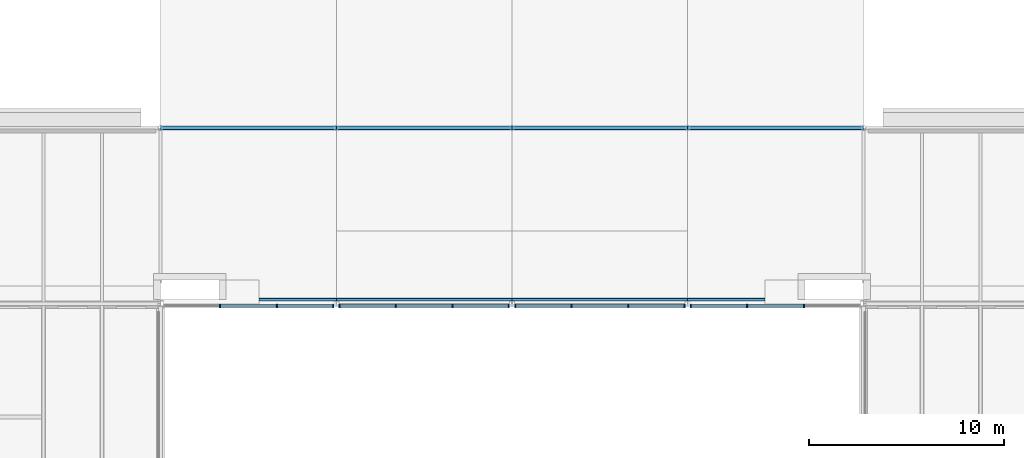
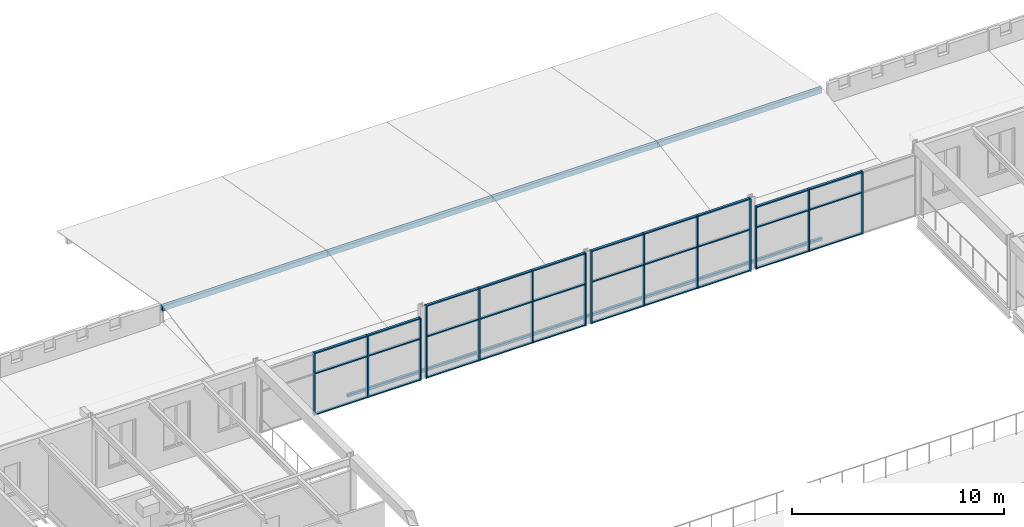
# One storey, part 44 of 123: 44 members, 8 beams, 4 elements without a shape of their own.
"""IFC4 building model written with IfcOpenShell, lengths in metres."""

import ifcopenshell
import ifcopenshell.guid

model = None  # the IFC model being written
_history = None  # IfcOwnerHistory: only IFC2X3 demands one
_inside = {}  # id of a spatial element -> (the spatial element, [elements in it])
_under = {}  # id of a project, library or spatial element -> (it, [spatial elements below it])
_declared = {}  # id of a project -> (the project, [libraries it declares])
_typed = {}  # id of a type object -> (the type object, [elements of that type])
_made_of = {}  # id of a material, layer set ... -> (it, [elements and type objects made of it])


def new_model(schema):
    """Start an empty IFC model of exactly this schema.

    Asked for "IFC4X3", IfcOpenShell would pick the latest addendum, in which some entities
    have other attributes; the version numbers below select the first issue.
    IFC2X3 requires an IfcOwnerHistory on every rooted entity: one is made here for all.
    """
    global model, _history
    if schema == "IFC4X3":
        model = ifcopenshell.file(schema_version=(4, 3, 0, 0))
    else:
        model = ifcopenshell.file(schema=schema)
    _inside.clear()
    _under.clear()
    _declared.clear()
    _typed.clear()
    _made_of.clear()
    _history = None
    if model.schema == "IFC2X3":
        org = make("IfcOrganization", Name="unknown")
        user = make(
            "IfcPersonAndOrganization",
            ThePerson=make("IfcPerson", FamilyName="unknown"),
            TheOrganization=org,
        )
        app = make(
            "IfcApplication",
            ApplicationDeveloper=org,
            Version="unknown",
            ApplicationFullName="unknown",
            ApplicationIdentifier="unknown",
        )
        _history = make(
            "IfcOwnerHistory",
            OwningUser=user,
            OwningApplication=app,
            ChangeAction="ADDED",
            CreationDate=0,
        )
    return model


def make(cls, **values):
    """One entity of the class cls with the attributes given. An attribute that is None is left unset."""
    return model.create_entity(
        cls, **{name: value for name, value in values.items() if value is not None}
    )


def rooted(cls, **values):
    """An entity with a GlobalId (a new one), such as an element, a storey or a relation."""
    return make(cls, GlobalId=ifcopenshell.guid.new(), OwnerHistory=_history, **values)


def si_unit(unit_type, name, prefix=None):
    """IfcSIUnit, for example si_unit("LENGTHUNIT", "METRE", prefix="MILLI")."""
    return make("IfcSIUnit", UnitType=unit_type, Prefix=prefix, Name=name)


def assignment(units):
    """IfcUnitAssignment: the units of a project."""
    return None if units is None else make("IfcUnitAssignment", Units=units)


def point(xyz):
    """IfcCartesianPoint."""
    return None if xyz is None else make("IfcCartesianPoint", Coordinates=xyz)


def direction(xyz):
    """IfcDirection."""
    return None if xyz is None else make("IfcDirection", DirectionRatios=xyz)


def frame(location, z_axis=None, x_axis=None):
    """IfcAxis2Placement3D, a coordinate frame: its origin and axes. An axis left out is left unset."""
    return make(
        "IfcAxis2Placement3D",
        Location=point(location),
        Axis=direction(z_axis),
        RefDirection=direction(x_axis),
    )


def frame_2d(location, x_axis=None):
    """IfcAxis2Placement2D, a coordinate frame in the plane: its origin and x axis."""
    return make(
        "IfcAxis2Placement2D", Location=point(location), RefDirection=direction(x_axis)
    )


def origin():
    """The frame at (0, 0, 0) with its axes left unset."""
    return frame((0.0, 0.0, 0.0))


def origin_2d():
    """The frame at (0, 0) in the plane with its x axis left unset."""
    return frame_2d((0.0, 0.0))


def place(relative_to, where):
    """IfcLocalPlacement: puts the frame where relative to a parent placement (None: the world)."""
    return make(
        "IfcLocalPlacement", PlacementRelTo=relative_to, RelativePlacement=where
    )


def context(
    kind, dimensions, precision=None, world=None, true_north=None, identifier=None
):
    """IfcGeometricRepresentationContext, for example the 3D "Model" context."""
    return make(
        "IfcGeometricRepresentationContext",
        ContextIdentifier=identifier,
        ContextType=kind,
        CoordinateSpaceDimension=dimensions,
        Precision=precision,
        WorldCoordinateSystem=world,
        TrueNorth=true_north,
    )


def subcontext(parent, identifier, kind, view, scale=None):
    """IfcGeometricRepresentationSubContext, for example "Body" below "Model"."""
    return make(
        "IfcGeometricRepresentationSubContext",
        ContextIdentifier=identifier,
        ContextType=kind,
        ParentContext=parent,
        TargetScale=scale,
        TargetView=view,
    )


def project(units=None, contexts=None):
    """IfcProject with its units and contexts."""
    return rooted(
        "IfcProject",
        Name="project",
        RepresentationContexts=contexts,
        UnitsInContext=assignment(units),
    )


def spatial(cls, under=None, at=None, **own):
    """A site, building, storey or space (cls), placed at a placement, below another one or the project."""
    s = rooted(cls, ObjectPlacement=at, **own)
    if under is not None:
        _under.setdefault(under.id(), (under, []))[1].append(s)
    return s


def profile(cls, at=None, kind="AREA", **sizes):
    """A parametric profile (cls). Its sizes go by their IFC names, for example OverallWidth=200.0."""
    return make(cls, ProfileType=kind, Position=at, **sizes)


def rectangle(**sizes):
    """IfcRectangleProfileDef."""
    return profile("IfcRectangleProfileDef", **sizes)


def hollow_rectangle(**sizes):
    """IfcRectangleHollowProfileDef."""
    return profile("IfcRectangleHollowProfileDef", **sizes)


def extrude(swept, where, along, depth):
    """IfcExtrudedAreaSolid: the profile swept, set in the frame where, extruded along a direction by depth."""
    return make(
        "IfcExtrudedAreaSolid",
        SweptArea=swept,
        Position=where,
        ExtrudedDirection=direction(along),
        Depth=depth,
    )


def shape(context_of_items, identifier, shape_type, items):
    """IfcShapeRepresentation: the items that make up one representation, for example the "Body"."""
    return make(
        "IfcShapeRepresentation",
        ContextOfItems=context_of_items,
        RepresentationIdentifier=identifier,
        RepresentationType=shape_type,
        Items=items,
    )


def material(Name=None, Category=None):
    """IfcMaterial."""
    return make("IfcMaterial", Name=Name, Category=Category)


def material_profile(
    of_material, cross_section, Name=None, Category=None, Priority=None
):
    """IfcMaterialProfile: a cross section and its material."""
    return make(
        "IfcMaterialProfile",
        Name=Name,
        Material=of_material,
        Profile=cross_section,
        Priority=Priority,
        Category=Category,
    )


def profile_set(profiles, Name=None, composite=None):
    """IfcMaterialProfileSet."""
    return make(
        "IfcMaterialProfileSet",
        Name=Name,
        MaterialProfiles=profiles,
        CompositeProfile=composite,
    )


def made_of(thing, what):
    """Note that an element or type object is made of a material, layer set ...; save() writes the relation."""
    if what is not None:
        _made_of.setdefault(what.id(), (what, []))[1].append(thing)
    return thing


def type_object(cls, material=None, **own):
    """A type object (cls), such as IfcWallType, which elements share."""
    return made_of(rooted(cls, **own), material)


def element(
    cls,
    number,
    at=None,
    inside=None,
    cuts=None,
    type_object=None,
    material=None,
    context=None,
    identifier="Body",
    shape_type=None,
    held_by="IfcProductDefinitionShape",
    body=None,
    shapes=None,
    **own,
):
    """One element of the class cls, such as IfcWall. Its Tag is "e" and its number.

    at: its placement. inside: the storey or other place that contains it. cuts: it is an
    opening in that element (IfcRelVoidsElement). A single representation is given by context,
    identifier, shape_type and body (its items); several are given by shapes. held_by: the class
    of the entity that holds the representations. save() writes the other relations.
    """
    e = rooted(cls, Tag="e%d" % number, ObjectPlacement=at, **own)
    if body is not None:
        shapes = [shape(context, identifier, shape_type, body)]
    if shapes is not None:
        e.Representation = make(held_by, Representations=shapes)
    if inside is not None:
        _inside.setdefault(inside.id(), (inside, []))[1].append(e)
    if cuts is not None:
        rooted(
            "IfcRelVoidsElement", RelatingBuildingElement=cuts, RelatedOpeningElement=e
        )
    if type_object is not None:
        _typed.setdefault(type_object.id(), (type_object, []))[1].append(e)
    return made_of(e, material)


def aggregate(whole, parts):
    """IfcRelAggregates: a whole, such as a stair, and the parts it consists of."""
    return rooted("IfcRelAggregates", RelatingObject=whole, RelatedObjects=parts)


def save(model, path):
    """Write the relations noted so far, then the file.

    IfcRelAggregates (storeys below a building ...), IfcRelContainedInSpatialStructure (elements
    in a storey), IfcRelDefinesByType, IfcRelAssociatesMaterial and IfcRelDeclares: one each for
    every whole, place, type object, material and project.
    """
    for whole, parts in _under.values():
        aggregate(whole, parts)
    for where, things in _inside.values():
        rooted(
            "IfcRelContainedInSpatialStructure",
            RelatedElements=things,
            RelatingStructure=where,
        )
    for kind, things in _typed.values():
        rooted("IfcRelDefinesByType", RelatedObjects=things, RelatingType=kind)
    for what, things in _made_of.values():
        rooted("IfcRelAssociatesMaterial", RelatedObjects=things, RelatingMaterial=what)
    for by, libraries in _declared.values():
        rooted("IfcRelDeclares", RelatingContext=by, RelatedDefinitions=libraries)
    model.write(path)


model = new_model("IFC4")

# Units and contexts
model_context = context("Model", 3, precision=1e-05, world=origin(), true_north=direction((0.0, 1.0)))
body_context = subcontext(model_context, "Body", "Model", "MODEL_VIEW")
ifc_project = project(units=[si_unit("LENGTHUNIT", "METRE"), si_unit("AREAUNIT", "SQUARE_METRE"), si_unit("VOLUMEUNIT", "CUBIC_METRE"), si_unit("PLANEANGLEUNIT", "RADIAN"), si_unit("MASSUNIT", "GRAM", prefix="KILO")], contexts=[model_context])

# Site, building, storey
site_placement = place(None, origin())
site = spatial("IfcSite", under=ifc_project, at=site_placement, CompositionType="ELEMENT")
building_placement = place(site_placement, origin())
building = spatial("IfcBuilding", under=site, at=building_placement, Name="Baradari Gate Terminus", CompositionType="ELEMENT")
storey_placement = place(building_placement, frame((0.0, 0.0, 7.5)))
storey = spatial("IfcBuildingStorey", under=building, at=storey_placement, Name="L01", CompositionType="ELEMENT", Elevation=7.5)

# Beams
ifc_material_1 = material(Name="Steel S355", Category="steel")
ifc_material_profile_1 = material_profile(ifc_material_1, hollow_rectangle(XDim=0.199951171875, YDim=0.300048828125, WallThickness=0.010009765625, InnerFilletRadius=0.010009765625, OuterFilletRadius=0.02001953125, at=origin_2d()), Name="RHS 300x200x10")
ifc_profile_set_1 = profile_set([ifc_material_profile_1], Name="Steel S355")
beam_type_1 = type_object("IfcBeamType", Name="Canopy beam RHS 300x200x10", PredefinedType="BEAM", material=ifc_profile_set_1)
for number, where, z_axis, x_axis, name in (
    (1, (135.0, 117.0, 1.70947265625), (1.0, 0.0, 0.0), (0.0, 1.0, 0.0), "BM/L01/CR1"),
    (2, (144.0, 117.0, 1.70947265625), (1.0, 0.0, 0.0), (0.0, 1.0, 0.0), "BM/L01/CR2"),
    (3, (153.0, 117.0, 1.70947265625), (1.0, 0.0, 0.0), (0.0, 1.0, 0.0), "BM/L01/CR3"),
    (4, (162.0, 117.0, 1.70947265625), (1.0, 0.0, 0.0), (0.0, 1.0, 0.0), "BM/L01/CR4"),
):
    element("IfcBeam", number, at=place(storey_placement, frame(where, z_axis=z_axis, x_axis=x_axis)), inside=storey, type_object=beam_type_1, Name=name, PredefinedType="BEAM", context=body_context, shape_type="SweptSolid", body=[
        extrude(hollow_rectangle(XDim=0.199951171875, YDim=0.300048828125, WallThickness=0.010009765625, InnerFilletRadius=0.010009765625, OuterFilletRadius=0.02001953125, at=origin_2d()), origin(), (0.0, 0.0, 1.0), 9.0),
    ])
ifc_material_2 = material(Name="Steel S355", Category="steel")
ifc_material_profile_2 = material_profile(ifc_material_2, hollow_rectangle(XDim=0.14990234375, YDim=0.14990234375, WallThickness=0.00634765625, InnerFilletRadius=0.00634765625, OuterFilletRadius=0.0126953125, at=origin_2d()), Name="SHS 150x150x6.3")
ifc_profile_set_2 = profile_set([ifc_material_profile_2], Name="Steel S355")
beam_type_2 = type_object("IfcBeamType", Name="Canopy tie SHS 150x150x6.3", PredefinedType="BEAM", material=ifc_profile_set_2)
beam_1_placement = place(storey_placement, frame((140.050048828125, 108.205078125, 0.220703125), z_axis=(1.0, 0.0, 0.0), x_axis=(0.0, 1.0, 0.0)))
element("IfcBeam", 5, at=beam_1_placement, inside=storey, type_object=beam_type_2, Name="BM/L01/CT1", PredefinedType="BEAM", context=body_context, shape_type="SweptSolid", body=[
    extrude(hollow_rectangle(XDim=0.14990234375, YDim=0.14990234375, WallThickness=0.00634765625, InnerFilletRadius=0.00634765625, OuterFilletRadius=0.0126953125, at=origin_2d()), origin(), (0.0, 0.0, 1.0), 3.949951171875),
])
for number, where, z_axis, x_axis, name in (
    (6, (144.0, 108.205078125, 0.220703125), (1.0, 0.0, 0.0), (0.0, 1.0, 0.0), "BM/L01/CT2"),
    (7, (153.0, 108.205078125, 0.220703125), (1.0, 0.0, 0.0), (0.0, 1.0, 0.0), "BM/L01/CT3"),
):
    element("IfcBeam", number, at=place(storey_placement, frame(where, z_axis=z_axis, x_axis=x_axis)), inside=storey, type_object=beam_type_2, Name=name, PredefinedType="BEAM", context=body_context, shape_type="SweptSolid", body=[
        extrude(hollow_rectangle(XDim=0.14990234375, YDim=0.14990234375, WallThickness=0.00634765625, InnerFilletRadius=0.00634765625, OuterFilletRadius=0.0126953125, at=origin_2d()), origin(), (0.0, 0.0, 1.0), 9.0),
    ])
beam_2_placement = place(storey_placement, frame((162.0, 108.205078125, 0.220703125), z_axis=(1.0, 0.0, 0.0), x_axis=(0.0, 1.0, 0.0)))
element("IfcBeam", 8, at=beam_2_placement, inside=storey, type_object=beam_type_2, Name="BM/L01/CT4", PredefinedType="BEAM", context=body_context, shape_type="SweptSolid", body=[
    extrude(hollow_rectangle(XDim=0.14990234375, YDim=0.14990234375, WallThickness=0.00634765625, InnerFilletRadius=0.00634765625, OuterFilletRadius=0.0126953125, at=origin_2d()), origin(), (0.0, 0.0, 1.0), 3.949951171875),
])

# Curtain wall, members
ifc_material_3 = material(Name="Aluminium 6063-T6", Category="aluminium")
curtain_wall_type_1 = type_object("IfcCurtainWallType", Name="Curtain wall CW-13 ticket hall clerestory, other height", PredefinedType="NOTDEFINED", material=ifc_material_3)
curtain_wall_1_placement = place(storey_placement, origin())
curtain_wall_1 = element("IfcCurtainWall", 9, at=curtain_wall_1_placement, inside=storey, type_object=curtain_wall_type_1, Name="Glazed curtain wall CW-13 HN bay 17 L01", PredefinedType="NOTDEFINED")
ifc_material_4 = material(Name="Aluminium 6063-T6", Category="aluminium")
ifc_material_profile_3 = material_profile(ifc_material_4, rectangle(XDim=0.175048828125, YDim=0.06494140625, at=origin_2d()), Name="CM-13 65X175")
ifc_profile_set_3 = profile_set([ifc_material_profile_3], Name="Aluminium 6063-T6")
member_type_1 = type_object("IfcMemberType", Name="Curtain wall mullion CM-13 65x175", PredefinedType="MULLION", material=ifc_profile_set_3)
member_1_placement = place(storey_placement, frame((144.16064453125, 107.87841796875, 0.0), z_axis=(0.0, 0.0, 1.0), x_axis=(0.0, 1.0, 0.0)))
member_1 = element("IfcMember", 10, at=member_1_placement, type_object=member_type_1, Name="CW-13 mullion 1", PredefinedType="MULLION", context=body_context, shape_type="SweptSolid", body=[
    extrude(rectangle(XDim=0.175048828125, YDim=0.06494140625, at=origin_2d()), origin(), (0.0, 0.0, 1.0), 4.199951171875),
])
member_2_placement = place(storey_placement, frame((147.042724609375, 107.87841796875, 0.0), z_axis=(0.0, 0.0, 1.0), x_axis=(0.0, 1.0, 0.0)))
member_2 = element("IfcMember", 11, at=member_2_placement, type_object=member_type_1, Name="CW-13 mullion 2", PredefinedType="MULLION", context=body_context, shape_type="SweptSolid", body=[
    extrude(rectangle(XDim=0.175048828125, YDim=0.06494140625, at=origin_2d()), origin(), (0.0, 0.0, 1.0), 4.199951171875),
])
member_3_placement = place(storey_placement, frame((149.957275390625, 107.87841796875, 0.0), z_axis=(0.0, 0.0, 1.0), x_axis=(0.0, 1.0, 0.0)))
member_3 = element("IfcMember", 12, at=member_3_placement, type_object=member_type_1, Name="CW-13 mullion 3", PredefinedType="MULLION", context=body_context, shape_type="SweptSolid", body=[
    extrude(rectangle(XDim=0.175048828125, YDim=0.06494140625, at=origin_2d()), origin(), (0.0, 0.0, 1.0), 4.199951171875),
])
member_4_placement = place(storey_placement, frame((152.83935546875, 107.87841796875, 0.0), z_axis=(0.0, 0.0, 1.0), x_axis=(0.0, 1.0, 0.0)))
member_4 = element("IfcMember", 13, at=member_4_placement, type_object=member_type_1, Name="CW-13 mullion 4", PredefinedType="MULLION", context=body_context, shape_type="SweptSolid", body=[
    extrude(rectangle(XDim=0.175048828125, YDim=0.06494140625, at=origin_2d()), origin(), (0.0, 0.0, 1.0), 4.199951171875),
])

curtain_wall_2_placement = place(storey_placement, origin())
curtain_wall_2 = element("IfcCurtainWall", 14, at=curtain_wall_2_placement, inside=storey, type_object=curtain_wall_type_1, Name="Glazed curtain wall CW-13 HN bay 18 L01", PredefinedType="NOTDEFINED")
member_5_placement = place(storey_placement, frame((153.16064453125, 107.87841796875, 0.0), z_axis=(0.0, 0.0, 1.0), x_axis=(0.0, 1.0, 0.0)))
member_5 = element("IfcMember", 15, at=member_5_placement, type_object=member_type_1, Name="CW-13 mullion 1", PredefinedType="MULLION", context=body_context, shape_type="SweptSolid", body=[
    extrude(rectangle(XDim=0.175048828125, YDim=0.06494140625, at=origin_2d()), origin(), (0.0, 0.0, 1.0), 4.199951171875),
])
member_6_placement = place(storey_placement, frame((156.042724609375, 107.87841796875, 0.0), z_axis=(0.0, 0.0, 1.0), x_axis=(0.0, 1.0, 0.0)))
member_6 = element("IfcMember", 16, at=member_6_placement, type_object=member_type_1, Name="CW-13 mullion 2", PredefinedType="MULLION", context=body_context, shape_type="SweptSolid", body=[
    extrude(rectangle(XDim=0.175048828125, YDim=0.06494140625, at=origin_2d()), origin(), (0.0, 0.0, 1.0), 4.199951171875),
])
member_7_placement = place(storey_placement, frame((158.957275390625, 107.87841796875, 0.0), z_axis=(0.0, 0.0, 1.0), x_axis=(0.0, 1.0, 0.0)))
member_7 = element("IfcMember", 17, at=member_7_placement, type_object=member_type_1, Name="CW-13 mullion 3", PredefinedType="MULLION", context=body_context, shape_type="SweptSolid", body=[
    extrude(rectangle(XDim=0.175048828125, YDim=0.06494140625, at=origin_2d()), origin(), (0.0, 0.0, 1.0), 4.199951171875),
])
member_8_placement = place(storey_placement, frame((161.83935546875, 107.87841796875, 0.0), z_axis=(0.0, 0.0, 1.0), x_axis=(0.0, 1.0, 0.0)))
member_8 = element("IfcMember", 18, at=member_8_placement, type_object=member_type_1, Name="CW-13 mullion 4", PredefinedType="MULLION", context=body_context, shape_type="SweptSolid", body=[
    extrude(rectangle(XDim=0.175048828125, YDim=0.06494140625, at=origin_2d()), origin(), (0.0, 0.0, 1.0), 4.199951171875),
])

ifc_material_5 = material(Name="Aluminium 6063-T6", Category="aluminium")
curtain_wall_type_2 = type_object("IfcCurtainWallType", Name="Curtain wall CW-4 ticket hall clerestory", PredefinedType="NOTDEFINED", material=ifc_material_5)
curtain_wall_3_placement = place(storey_placement, origin())
curtain_wall_3 = element("IfcCurtainWall", 19, at=curtain_wall_3_placement, inside=storey, type_object=curtain_wall_type_2, Name="Glazed curtain wall CW-4 HN bay 16 L01", PredefinedType="NOTDEFINED")
ifc_material_6 = material(Name="Aluminium 6063-T6", Category="aluminium")
ifc_material_profile_4 = material_profile(ifc_material_6, rectangle(XDim=0.175048828125, YDim=0.06494140625, at=origin_2d()), Name="CM-4 65X175")
ifc_profile_set_4 = profile_set([ifc_material_profile_4], Name="Aluminium 6063-T6")
member_type_2 = type_object("IfcMemberType", Name="Curtain wall mullion CM-4 65x175", PredefinedType="MULLION", material=ifc_profile_set_4)
member_9_placement = place(storey_placement, frame((138.042724609375, 107.87841796875, 0.0), z_axis=(0.0, 0.0, 1.0), x_axis=(0.0, 1.0, 0.0)))
member_9 = element("IfcMember", 20, at=member_9_placement, type_object=member_type_2, Name="CW-4 mullion 2", PredefinedType="MULLION", context=body_context, shape_type="SweptSolid", body=[
    extrude(rectangle(XDim=0.175048828125, YDim=0.06494140625, at=origin_2d()), origin(), (0.0, 0.0, 1.0), 3.60009765625),
])
member_10_placement = place(storey_placement, frame((140.957275390625, 107.87841796875, 0.0), z_axis=(0.0, 0.0, 1.0), x_axis=(0.0, 1.0, 0.0)))
member_10 = element("IfcMember", 21, at=member_10_placement, type_object=member_type_2, Name="CW-4 mullion 3", PredefinedType="MULLION", context=body_context, shape_type="SweptSolid", body=[
    extrude(rectangle(XDim=0.175048828125, YDim=0.06494140625, at=origin_2d()), origin(), (0.0, 0.0, 1.0), 3.60009765625),
])
member_11_placement = place(storey_placement, frame((143.83935546875, 107.87841796875, 0.0), z_axis=(0.0, 0.0, 1.0), x_axis=(0.0, 1.0, 0.0)))
member_11 = element("IfcMember", 22, at=member_11_placement, type_object=member_type_2, Name="CW-4 mullion 4", PredefinedType="MULLION", context=body_context, shape_type="SweptSolid", body=[
    extrude(rectangle(XDim=0.175048828125, YDim=0.06494140625, at=origin_2d()), origin(), (0.0, 0.0, 1.0), 3.60009765625),
])

curtain_wall_4_placement = place(storey_placement, origin())
curtain_wall_4 = element("IfcCurtainWall", 23, at=curtain_wall_4_placement, inside=storey, type_object=curtain_wall_type_2, Name="Glazed curtain wall CW-4 HN bay 19 L01", PredefinedType="NOTDEFINED")
member_12_placement = place(storey_placement, frame((162.16064453125, 107.87841796875, 0.0), z_axis=(0.0, 0.0, 1.0), x_axis=(0.0, 1.0, 0.0)))
member_12 = element("IfcMember", 24, at=member_12_placement, type_object=member_type_2, Name="CW-4 mullion 1", PredefinedType="MULLION", context=body_context, shape_type="SweptSolid", body=[
    extrude(rectangle(XDim=0.175048828125, YDim=0.06494140625, at=origin_2d()), origin(), (0.0, 0.0, 1.0), 3.60009765625),
])
member_13_placement = place(storey_placement, frame((165.042724609375, 107.87841796875, 0.0), z_axis=(0.0, 0.0, 1.0), x_axis=(0.0, 1.0, 0.0)))
member_13 = element("IfcMember", 25, at=member_13_placement, type_object=member_type_2, Name="CW-4 mullion 2", PredefinedType="MULLION", context=body_context, shape_type="SweptSolid", body=[
    extrude(rectangle(XDim=0.175048828125, YDim=0.06494140625, at=origin_2d()), origin(), (0.0, 0.0, 1.0), 3.60009765625),
])
member_14_placement = place(storey_placement, frame((167.957275390625, 107.87841796875, 0.0), z_axis=(0.0, 0.0, 1.0), x_axis=(0.0, 1.0, 0.0)))
member_14 = element("IfcMember", 26, at=member_14_placement, type_object=member_type_2, Name="CW-4 mullion 3", PredefinedType="MULLION", context=body_context, shape_type="SweptSolid", body=[
    extrude(rectangle(XDim=0.175048828125, YDim=0.06494140625, at=origin_2d()), origin(), (0.0, 0.0, 1.0), 3.60009765625),
])

# Member
ifc_material_7 = material(Name="Aluminium 6063-T6", Category="aluminium")
ifc_material_profile_5 = material_profile(ifc_material_7, rectangle(XDim=0.135009765625, YDim=0.06494140625, at=origin_2d()), Name="CT-13 65X135")
ifc_profile_set_5 = profile_set([ifc_material_profile_5], Name="Aluminium 6063-T6")
member_type_3 = type_object("IfcMemberType", Name="Curtain wall transom CT-13 65x135", PredefinedType="USERDEFINED", material=ifc_profile_set_5)
member_15_placement = place(storey_placement, frame((144.193115234375, 107.87841796875, 0.032470703125), z_axis=(1.0, 0.0, 0.0), x_axis=(0.0, 1.0, 0.0)))
member_15 = element("IfcMember", 27, at=member_15_placement, type_object=member_type_3, Name="CW-13 transom 1.1", ObjectType="TRANSOM", PredefinedType="USERDEFINED", context=body_context, shape_type="SweptSolid", body=[
    extrude(rectangle(XDim=0.135009765625, YDim=0.06494140625, at=origin_2d()), origin(), (0.0, 0.0, 1.0), 2.817138671875),
])

member_16_placement = place(storey_placement, frame((144.193115234375, 107.87841796875, 2.39990234375), z_axis=(1.0, 0.0, 0.0), x_axis=(0.0, 1.0, 0.0)))
member_16 = element("IfcMember", 28, at=member_16_placement, type_object=member_type_3, Name="CW-13 transom 1.2", ObjectType="TRANSOM", PredefinedType="USERDEFINED", context=body_context, shape_type="SweptSolid", body=[
    extrude(rectangle(XDim=0.135009765625, YDim=0.06494140625, at=origin_2d()), origin(), (0.0, 0.0, 1.0), 2.817138671875),
])

member_17_placement = place(storey_placement, frame((144.193115234375, 107.87841796875, 4.16748046875), z_axis=(1.0, 0.0, 0.0), x_axis=(0.0, 1.0, 0.0)))
member_17 = element("IfcMember", 29, at=member_17_placement, type_object=member_type_3, Name="CW-13 transom 1.3", ObjectType="TRANSOM", PredefinedType="USERDEFINED", context=body_context, shape_type="SweptSolid", body=[
    extrude(rectangle(XDim=0.135009765625, YDim=0.06494140625, at=origin_2d()), origin(), (0.0, 0.0, 1.0), 2.817138671875),
])

member_18_placement = place(storey_placement, frame((147.0751953125, 107.87841796875, 0.032470703125), z_axis=(1.0, 0.0, 0.0), x_axis=(0.0, 1.0, 0.0)))
member_18 = element("IfcMember", 30, at=member_18_placement, type_object=member_type_3, Name="CW-13 transom 2.1", ObjectType="TRANSOM", PredefinedType="USERDEFINED", context=body_context, shape_type="SweptSolid", body=[
    extrude(rectangle(XDim=0.135009765625, YDim=0.06494140625, at=origin_2d()), origin(), (0.0, 0.0, 1.0), 2.849609375),
])

member_19_placement = place(storey_placement, frame((147.0751953125, 107.87841796875, 2.39990234375), z_axis=(1.0, 0.0, 0.0), x_axis=(0.0, 1.0, 0.0)))
member_19 = element("IfcMember", 31, at=member_19_placement, type_object=member_type_3, Name="CW-13 transom 2.2", ObjectType="TRANSOM", PredefinedType="USERDEFINED", context=body_context, shape_type="SweptSolid", body=[
    extrude(rectangle(XDim=0.135009765625, YDim=0.06494140625, at=origin_2d()), origin(), (0.0, 0.0, 1.0), 2.849609375),
])

member_20_placement = place(storey_placement, frame((147.0751953125, 107.87841796875, 4.16748046875), z_axis=(1.0, 0.0, 0.0), x_axis=(0.0, 1.0, 0.0)))
member_20 = element("IfcMember", 32, at=member_20_placement, type_object=member_type_3, Name="CW-13 transom 2.3", ObjectType="TRANSOM", PredefinedType="USERDEFINED", context=body_context, shape_type="SweptSolid", body=[
    extrude(rectangle(XDim=0.135009765625, YDim=0.06494140625, at=origin_2d()), origin(), (0.0, 0.0, 1.0), 2.849609375),
])

member_21_placement = place(storey_placement, frame((149.98974609375, 107.87841796875, 0.032470703125), z_axis=(1.0, 0.0, 0.0), x_axis=(0.0, 1.0, 0.0)))
member_21 = element("IfcMember", 33, at=member_21_placement, type_object=member_type_3, Name="CW-13 transom 3.1", ObjectType="TRANSOM", PredefinedType="USERDEFINED", context=body_context, shape_type="SweptSolid", body=[
    extrude(rectangle(XDim=0.135009765625, YDim=0.06494140625, at=origin_2d()), origin(), (0.0, 0.0, 1.0), 2.817138671875),
])

member_22_placement = place(storey_placement, frame((149.98974609375, 107.87841796875, 2.39990234375), z_axis=(1.0, 0.0, 0.0), x_axis=(0.0, 1.0, 0.0)))
member_22 = element("IfcMember", 34, at=member_22_placement, type_object=member_type_3, Name="CW-13 transom 3.2", ObjectType="TRANSOM", PredefinedType="USERDEFINED", context=body_context, shape_type="SweptSolid", body=[
    extrude(rectangle(XDim=0.135009765625, YDim=0.06494140625, at=origin_2d()), origin(), (0.0, 0.0, 1.0), 2.817138671875),
])

member_23_placement = place(storey_placement, frame((149.98974609375, 107.87841796875, 4.16748046875), z_axis=(1.0, 0.0, 0.0), x_axis=(0.0, 1.0, 0.0)))
member_23 = element("IfcMember", 35, at=member_23_placement, type_object=member_type_3, Name="CW-13 transom 3.3", ObjectType="TRANSOM", PredefinedType="USERDEFINED", context=body_context, shape_type="SweptSolid", body=[
    extrude(rectangle(XDim=0.135009765625, YDim=0.06494140625, at=origin_2d()), origin(), (0.0, 0.0, 1.0), 2.817138671875),
])

aggregate(curtain_wall_1, [member_1, member_2, member_3, member_4, member_15, member_16, member_17, member_18, member_19, member_20, member_21, member_22, member_23])

member_24_placement = place(storey_placement, frame((153.193115234375, 107.87841796875, 0.032470703125), z_axis=(1.0, 0.0, 0.0), x_axis=(0.0, 1.0, 0.0)))
member_24 = element("IfcMember", 36, at=member_24_placement, type_object=member_type_3, Name="CW-13 transom 1.1", ObjectType="TRANSOM", PredefinedType="USERDEFINED", context=body_context, shape_type="SweptSolid", body=[
    extrude(rectangle(XDim=0.135009765625, YDim=0.06494140625, at=origin_2d()), origin(), (0.0, 0.0, 1.0), 2.817138671875),
])

member_25_placement = place(storey_placement, frame((153.193115234375, 107.87841796875, 2.39990234375), z_axis=(1.0, 0.0, 0.0), x_axis=(0.0, 1.0, 0.0)))
member_25 = element("IfcMember", 37, at=member_25_placement, type_object=member_type_3, Name="CW-13 transom 1.2", ObjectType="TRANSOM", PredefinedType="USERDEFINED", context=body_context, shape_type="SweptSolid", body=[
    extrude(rectangle(XDim=0.135009765625, YDim=0.06494140625, at=origin_2d()), origin(), (0.0, 0.0, 1.0), 2.817138671875),
])

member_26_placement = place(storey_placement, frame((153.193115234375, 107.87841796875, 4.16748046875), z_axis=(1.0, 0.0, 0.0), x_axis=(0.0, 1.0, 0.0)))
member_26 = element("IfcMember", 38, at=member_26_placement, type_object=member_type_3, Name="CW-13 transom 1.3", ObjectType="TRANSOM", PredefinedType="USERDEFINED", context=body_context, shape_type="SweptSolid", body=[
    extrude(rectangle(XDim=0.135009765625, YDim=0.06494140625, at=origin_2d()), origin(), (0.0, 0.0, 1.0), 2.817138671875),
])

member_27_placement = place(storey_placement, frame((156.0751953125, 107.87841796875, 0.032470703125), z_axis=(1.0, 0.0, 0.0), x_axis=(0.0, 1.0, 0.0)))
member_27 = element("IfcMember", 39, at=member_27_placement, type_object=member_type_3, Name="CW-13 transom 2.1", ObjectType="TRANSOM", PredefinedType="USERDEFINED", context=body_context, shape_type="SweptSolid", body=[
    extrude(rectangle(XDim=0.135009765625, YDim=0.06494140625, at=origin_2d()), origin(), (0.0, 0.0, 1.0), 2.849609375),
])

member_28_placement = place(storey_placement, frame((156.0751953125, 107.87841796875, 2.39990234375), z_axis=(1.0, 0.0, 0.0), x_axis=(0.0, 1.0, 0.0)))
member_28 = element("IfcMember", 40, at=member_28_placement, type_object=member_type_3, Name="CW-13 transom 2.2", ObjectType="TRANSOM", PredefinedType="USERDEFINED", context=body_context, shape_type="SweptSolid", body=[
    extrude(rectangle(XDim=0.135009765625, YDim=0.06494140625, at=origin_2d()), origin(), (0.0, 0.0, 1.0), 2.849609375),
])

member_29_placement = place(storey_placement, frame((156.0751953125, 107.87841796875, 4.16748046875), z_axis=(1.0, 0.0, 0.0), x_axis=(0.0, 1.0, 0.0)))
member_29 = element("IfcMember", 41, at=member_29_placement, type_object=member_type_3, Name="CW-13 transom 2.3", ObjectType="TRANSOM", PredefinedType="USERDEFINED", context=body_context, shape_type="SweptSolid", body=[
    extrude(rectangle(XDim=0.135009765625, YDim=0.06494140625, at=origin_2d()), origin(), (0.0, 0.0, 1.0), 2.849609375),
])

member_30_placement = place(storey_placement, frame((158.98974609375, 107.87841796875, 0.032470703125), z_axis=(1.0, 0.0, 0.0), x_axis=(0.0, 1.0, 0.0)))
member_30 = element("IfcMember", 42, at=member_30_placement, type_object=member_type_3, Name="CW-13 transom 3.1", ObjectType="TRANSOM", PredefinedType="USERDEFINED", context=body_context, shape_type="SweptSolid", body=[
    extrude(rectangle(XDim=0.135009765625, YDim=0.06494140625, at=origin_2d()), origin(), (0.0, 0.0, 1.0), 2.817138671875),
])

member_31_placement = place(storey_placement, frame((158.98974609375, 107.87841796875, 2.39990234375), z_axis=(1.0, 0.0, 0.0), x_axis=(0.0, 1.0, 0.0)))
member_31 = element("IfcMember", 43, at=member_31_placement, type_object=member_type_3, Name="CW-13 transom 3.2", ObjectType="TRANSOM", PredefinedType="USERDEFINED", context=body_context, shape_type="SweptSolid", body=[
    extrude(rectangle(XDim=0.135009765625, YDim=0.06494140625, at=origin_2d()), origin(), (0.0, 0.0, 1.0), 2.817138671875),
])

member_32_placement = place(storey_placement, frame((158.98974609375, 107.87841796875, 4.16748046875), z_axis=(1.0, 0.0, 0.0), x_axis=(0.0, 1.0, 0.0)))
member_32 = element("IfcMember", 44, at=member_32_placement, type_object=member_type_3, Name="CW-13 transom 3.3", ObjectType="TRANSOM", PredefinedType="USERDEFINED", context=body_context, shape_type="SweptSolid", body=[
    extrude(rectangle(XDim=0.135009765625, YDim=0.06494140625, at=origin_2d()), origin(), (0.0, 0.0, 1.0), 2.817138671875),
])

aggregate(curtain_wall_2, [member_5, member_6, member_7, member_8, member_24, member_25, member_26, member_27, member_28, member_29, member_30, member_31, member_32])

ifc_material_8 = material(Name="Aluminium 6063-T6", Category="aluminium")
ifc_material_profile_6 = material_profile(ifc_material_8, rectangle(XDim=0.135009765625, YDim=0.06494140625, at=origin_2d()), Name="CT-4 65X135")
ifc_profile_set_6 = profile_set([ifc_material_profile_6], Name="Aluminium 6063-T6")
member_type_4 = type_object("IfcMemberType", Name="Curtain wall transom CT-4 65x135", PredefinedType="USERDEFINED", material=ifc_profile_set_6)
member_33_placement = place(storey_placement, frame((138.0751953125, 107.87841796875, 0.032470703125), z_axis=(1.0, 0.0, 0.0), x_axis=(0.0, 1.0, 0.0)))
member_33 = element("IfcMember", 45, at=member_33_placement, type_object=member_type_4, Name="CW-4 transom 2.1", ObjectType="TRANSOM", PredefinedType="USERDEFINED", context=body_context, shape_type="SweptSolid", body=[
    extrude(rectangle(XDim=0.135009765625, YDim=0.06494140625, at=origin_2d()), origin(), (0.0, 0.0, 1.0), 2.849609375),
])

member_34_placement = place(storey_placement, frame((138.0751953125, 107.87841796875, 2.39990234375), z_axis=(1.0, 0.0, 0.0), x_axis=(0.0, 1.0, 0.0)))
member_34 = element("IfcMember", 46, at=member_34_placement, type_object=member_type_4, Name="CW-4 transom 2.2", ObjectType="TRANSOM", PredefinedType="USERDEFINED", context=body_context, shape_type="SweptSolid", body=[
    extrude(rectangle(XDim=0.135009765625, YDim=0.06494140625, at=origin_2d()), origin(), (0.0, 0.0, 1.0), 2.849609375),
])

member_35_placement = place(storey_placement, frame((138.0751953125, 107.87841796875, 3.5673828125), z_axis=(1.0, 0.0, 0.0), x_axis=(0.0, 1.0, 0.0)))
member_35 = element("IfcMember", 47, at=member_35_placement, type_object=member_type_4, Name="CW-4 transom 2.3", ObjectType="TRANSOM", PredefinedType="USERDEFINED", context=body_context, shape_type="SweptSolid", body=[
    extrude(rectangle(XDim=0.135009765625, YDim=0.06494140625, at=origin_2d()), origin(), (0.0, 0.0, 1.0), 2.849609375),
])

member_36_placement = place(storey_placement, frame((140.98974609375, 107.87841796875, 0.032470703125), z_axis=(1.0, 0.0, 0.0), x_axis=(0.0, 1.0, 0.0)))
member_36 = element("IfcMember", 48, at=member_36_placement, type_object=member_type_4, Name="CW-4 transom 3.1", ObjectType="TRANSOM", PredefinedType="USERDEFINED", context=body_context, shape_type="SweptSolid", body=[
    extrude(rectangle(XDim=0.135009765625, YDim=0.06494140625, at=origin_2d()), origin(), (0.0, 0.0, 1.0), 2.817138671875),
])

member_37_placement = place(storey_placement, frame((140.98974609375, 107.87841796875, 2.39990234375), z_axis=(1.0, 0.0, 0.0), x_axis=(0.0, 1.0, 0.0)))
member_37 = element("IfcMember", 49, at=member_37_placement, type_object=member_type_4, Name="CW-4 transom 3.2", ObjectType="TRANSOM", PredefinedType="USERDEFINED", context=body_context, shape_type="SweptSolid", body=[
    extrude(rectangle(XDim=0.135009765625, YDim=0.06494140625, at=origin_2d()), origin(), (0.0, 0.0, 1.0), 2.817138671875),
])

member_38_placement = place(storey_placement, frame((140.98974609375, 107.87841796875, 3.5673828125), z_axis=(1.0, 0.0, 0.0), x_axis=(0.0, 1.0, 0.0)))
member_38 = element("IfcMember", 50, at=member_38_placement, type_object=member_type_4, Name="CW-4 transom 3.3", ObjectType="TRANSOM", PredefinedType="USERDEFINED", context=body_context, shape_type="SweptSolid", body=[
    extrude(rectangle(XDim=0.135009765625, YDim=0.06494140625, at=origin_2d()), origin(), (0.0, 0.0, 1.0), 2.817138671875),
])

aggregate(curtain_wall_3, [member_9, member_10, member_11, member_33, member_34, member_35, member_36, member_37, member_38])

member_39_placement = place(storey_placement, frame((162.193115234375, 107.87841796875, 0.032470703125), z_axis=(1.0, 0.0, 0.0), x_axis=(0.0, 1.0, 0.0)))
member_39 = element("IfcMember", 51, at=member_39_placement, type_object=member_type_4, Name="CW-4 transom 1.1", ObjectType="TRANSOM", PredefinedType="USERDEFINED", context=body_context, shape_type="SweptSolid", body=[
    extrude(rectangle(XDim=0.135009765625, YDim=0.06494140625, at=origin_2d()), origin(), (0.0, 0.0, 1.0), 2.817138671875),
])

member_40_placement = place(storey_placement, frame((162.193115234375, 107.87841796875, 2.39990234375), z_axis=(1.0, 0.0, 0.0), x_axis=(0.0, 1.0, 0.0)))
member_40 = element("IfcMember", 52, at=member_40_placement, type_object=member_type_4, Name="CW-4 transom 1.2", ObjectType="TRANSOM", PredefinedType="USERDEFINED", context=body_context, shape_type="SweptSolid", body=[
    extrude(rectangle(XDim=0.135009765625, YDim=0.06494140625, at=origin_2d()), origin(), (0.0, 0.0, 1.0), 2.817138671875),
])

member_41_placement = place(storey_placement, frame((162.193115234375, 107.87841796875, 3.5673828125), z_axis=(1.0, 0.0, 0.0), x_axis=(0.0, 1.0, 0.0)))
member_41 = element("IfcMember", 53, at=member_41_placement, type_object=member_type_4, Name="CW-4 transom 1.3", ObjectType="TRANSOM", PredefinedType="USERDEFINED", context=body_context, shape_type="SweptSolid", body=[
    extrude(rectangle(XDim=0.135009765625, YDim=0.06494140625, at=origin_2d()), origin(), (0.0, 0.0, 1.0), 2.817138671875),
])

member_42_placement = place(storey_placement, frame((165.0751953125, 107.87841796875, 0.032470703125), z_axis=(1.0, 0.0, 0.0), x_axis=(0.0, 1.0, 0.0)))
member_42 = element("IfcMember", 54, at=member_42_placement, type_object=member_type_4, Name="CW-4 transom 2.1", ObjectType="TRANSOM", PredefinedType="USERDEFINED", context=body_context, shape_type="SweptSolid", body=[
    extrude(rectangle(XDim=0.135009765625, YDim=0.06494140625, at=origin_2d()), origin(), (0.0, 0.0, 1.0), 2.849609375),
])

member_43_placement = place(storey_placement, frame((165.0751953125, 107.87841796875, 2.39990234375), z_axis=(1.0, 0.0, 0.0), x_axis=(0.0, 1.0, 0.0)))
member_43 = element("IfcMember", 55, at=member_43_placement, type_object=member_type_4, Name="CW-4 transom 2.2", ObjectType="TRANSOM", PredefinedType="USERDEFINED", context=body_context, shape_type="SweptSolid", body=[
    extrude(rectangle(XDim=0.135009765625, YDim=0.06494140625, at=origin_2d()), origin(), (0.0, 0.0, 1.0), 2.849609375),
])

member_44_placement = place(storey_placement, frame((165.0751953125, 107.87841796875, 3.5673828125), z_axis=(1.0, 0.0, 0.0), x_axis=(0.0, 1.0, 0.0)))
member_44 = element("IfcMember", 56, at=member_44_placement, type_object=member_type_4, Name="CW-4 transom 2.3", ObjectType="TRANSOM", PredefinedType="USERDEFINED", context=body_context, shape_type="SweptSolid", body=[
    extrude(rectangle(XDim=0.135009765625, YDim=0.06494140625, at=origin_2d()), origin(), (0.0, 0.0, 1.0), 2.849609375),
])

aggregate(curtain_wall_4, [member_12, member_13, member_14, member_39, member_40, member_41, member_42, member_43, member_44])

save(model, "model.ifc")
